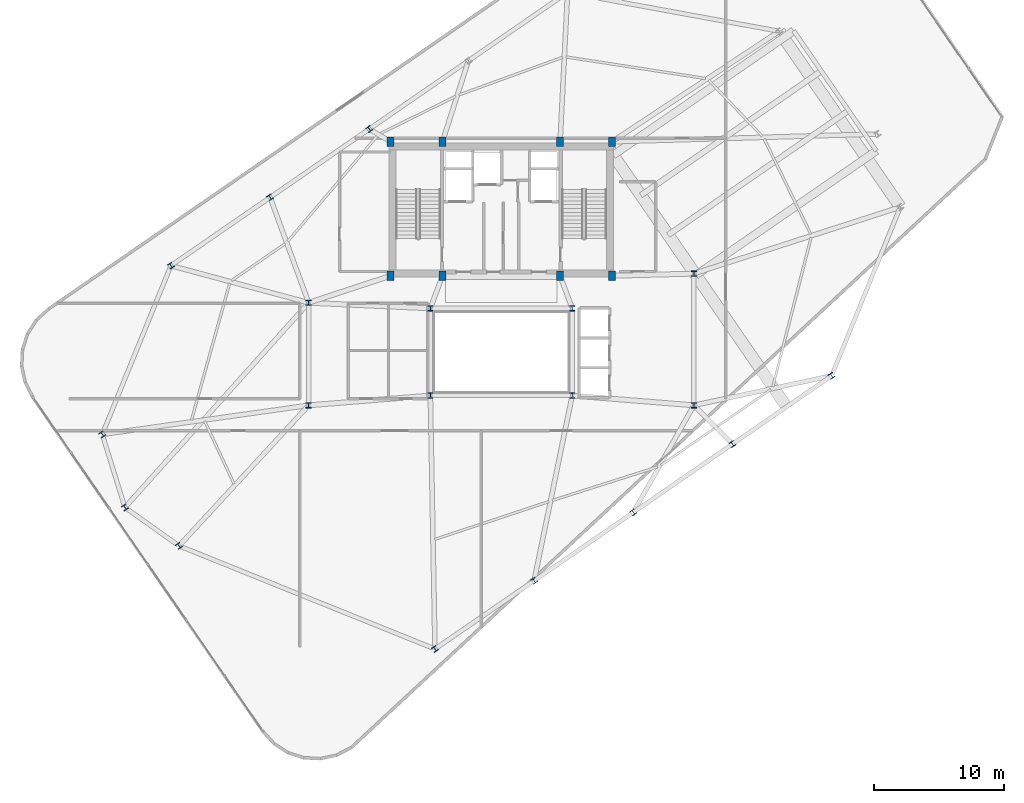
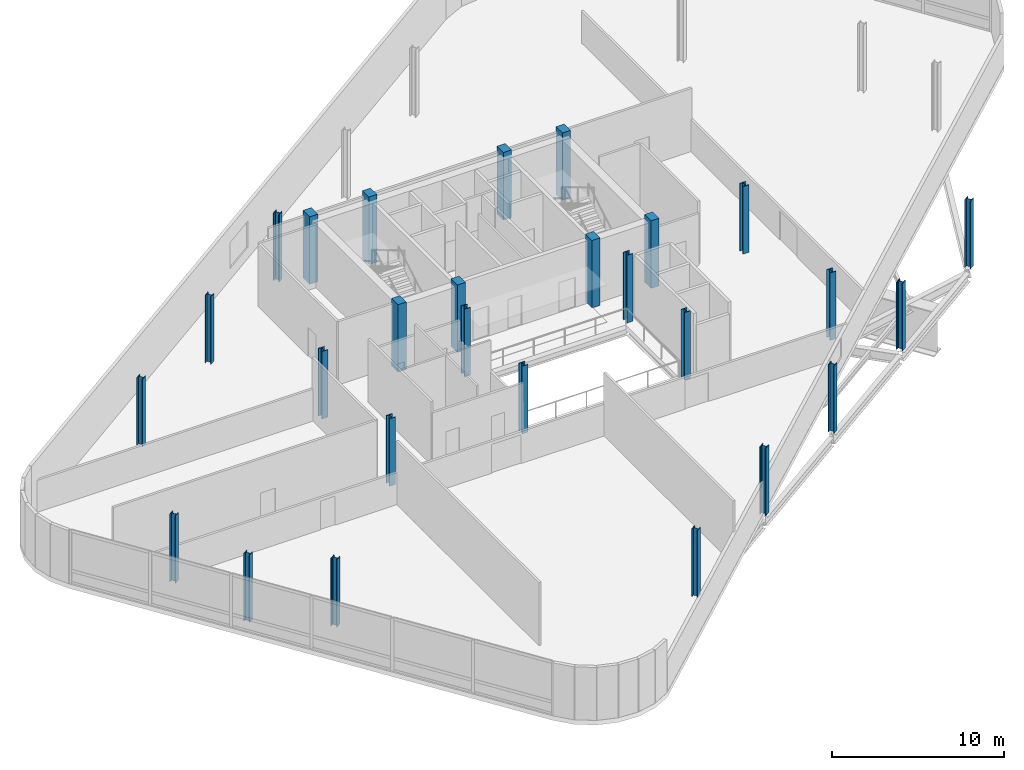
# One storey, part 1 of 15: 27 columns.
"""IFC4 building model written with IfcOpenShell, lengths in metres."""

from ifc_helpers import new_model, si_unit, direction, frame, origin, origin_2d, place, context, subcontext, project, spatial, rectangle, i_section, extrude, material, material_profile, profile_set, type_object, element, save


model = new_model("IFC4")

# Units and contexts
model_context = context("Model", 3, precision=1e-05, world=origin(), true_north=direction((0.0, 1.0)))
body_context = subcontext(model_context, "Body", "Model", "MODEL_VIEW")
ifc_project = project(units=[si_unit("LENGTHUNIT", "METRE"), si_unit("AREAUNIT", "SQUARE_METRE"), si_unit("VOLUMEUNIT", "CUBIC_METRE"), si_unit("PLANEANGLEUNIT", "RADIAN"), si_unit("MASSUNIT", "GRAM", prefix="KILO")], contexts=[model_context])

# Site, building, storey
site_placement = place(None, origin())
site = spatial("IfcSite", under=ifc_project, at=site_placement, CompositionType="ELEMENT")
building_placement = place(site_placement, origin())
building = spatial("IfcBuilding", under=site, at=building_placement, Name="Varnelok Gate Tower", CompositionType="ELEMENT")
storey_placement = place(building_placement, frame((0.0, 0.0, 291.5)))
storey = spatial("IfcBuildingStorey", under=building, at=storey_placement, Name="L75", CompositionType="ELEMENT", Elevation=291.5)

# Columns
ifc_material_1 = material(Name="Concrete C50/60", Category="concrete")
ifc_material_profile_1 = material_profile(ifc_material_1, rectangle(XDim=0.550048828125, YDim=0.75, at=origin_2d()), Name="RC750X550")
ifc_profile_set_1 = profile_set([ifc_material_profile_1], Name="Concrete C50/60")
column_type_1 = type_object("IfcColumnType", Name="COL-RC750X550", PredefinedType="COLUMN", material=ifc_profile_set_1)
for number, where, z_axis, x_axis, name in (
    (1, (30.699951171875, 28.75, 0.0), (0.0, 0.0, 1.0), (1.0, 0.0, 0.0), "L75 Core Spine Column SC1"),
    (2, (34.679931640625, 28.75, 0.0), (0.0, 0.0, 1.0), (1.0, 0.0, 0.0), "L75 Core Spine Column SC2"),
    (3, (43.719970703125, 28.75, 0.0), (0.0, 0.0, 1.0), (1.0, 0.0, 0.0), "L75 Core Spine Column SC3"),
    (4, (47.699951171875, 28.75, 0.0), (0.0, 0.0, 1.0), (1.0, 0.0, 0.0), "L75 Core Spine Column SC4"),
    (5, (30.699951171875, 39.050048828125, 0.0), (0.0, 0.0, 1.0), (1.0, 0.0, 0.0), "L75 Core Spine Column SC5"),
    (6, (34.679931640625, 39.050048828125, 0.0), (0.0, 0.0, 1.0), (1.0, 0.0, 0.0), "L75 Core Spine Column SC6"),
    (7, (43.719970703125, 39.050048828125, 0.0), (0.0, 0.0, 1.0), (1.0, 0.0, 0.0), "L75 Core Spine Column SC7"),
    (8, (47.699951171875, 39.050048828125, 0.0), (0.0, 0.0, 1.0), (1.0, 0.0, 0.0), "L75 Core Spine Column SC8"),
):
    element("IfcColumn", number, at=place(storey_placement, frame(where, z_axis=z_axis, x_axis=x_axis)), inside=storey, type_object=column_type_1, Name=name, PredefinedType="COLUMN", context=body_context, shape_type="SweptSolid", body=[
        extrude(rectangle(XDim=0.550048828125, YDim=0.75, at=origin_2d()), origin(), (0.0, 0.0, 1.0), 4.800048828125),
    ])
ifc_material_2 = material(Name="Structural Steel ASTM A992 Grade 50", Category="steel")
ifc_material_profile_2 = material_profile(ifc_material_2, i_section(OverallWidth=0.40087890625, OverallDepth=0.39892578125, WebThickness=0.02490234375, FlangeThickness=0.03955078125, FilletRadius=0.02197265625, at=origin_2d()), Name="W14X211")
ifc_profile_set_2 = profile_set([ifc_material_profile_2], Name="Structural Steel ASTM A992 Grade 50")
column_type_2 = type_object("IfcColumnType", Name="COL-W14X211", PredefinedType="COLUMN", material=ifc_profile_set_2)
for number, where, z_axis, x_axis, name in (
    (9, (34.107421875, 0.080810546875, 0.0), (0.0, 0.0, 1.0), (0.823532597628, 0.567268949127, 0.0), "L75 B6 Perimeter Column PC01"),
    (10, (41.72509765625, 5.327880859375, 0.0), (0.0, 0.0, 1.0), (0.823532597628, 0.567268949127, 0.0), "L75 B6 Perimeter Column PC02"),
    (11, (49.3427734375, 10.5751953125, 0.0), (0.0, 0.0, 1.0), (0.823532597628, 0.567268949127, 0.0), "L75 B6 Perimeter Column PC03"),
    (12, (56.96044921875, 15.822509765625, 0.0), (0.0, 0.0, 1.0), (0.823532597628, 0.567268949127, 0.0), "L75 B6 Perimeter Column PC04"),
    (13, (64.578125, 21.069580078125, 0.0), (0.0, 0.0, 1.0), (0.823532597628, 0.567268949127, 0.0), "L75 B6 Perimeter Column PC05"),
    (14, (29.05712890625, 40.02490234375, 0.0), (0.0, 0.0, 1.0), (0.823532597628, 0.567268949127, 0.0), "L75 B6 Perimeter Column PC11"),
    (15, (21.439697265625, 34.777587890625, 0.0), (0.0, 0.0, 1.0), (0.823532597628, 0.567268949127, 0.0), "L75 B6 Perimeter Column PC12"),
    (16, (13.822021484375, 29.5302734375, 0.0), (0.0, 0.0, 1.0), (0.823532597628, 0.567268949127, 0.0), "L75 B6 Perimeter Column PC13"),
    (17, (8.543212890625, 16.568603515625, 0.0), (0.0, 0.0, 1.0), (0.823532597628, 0.567268949127, 0.0), "L75 B6 Perimeter Column PC14"),
    (18, (10.284423828125, 10.955810546875, 0.0), (0.0, 0.0, 1.0), (0.823532597628, 0.567268949127, 0.0), "L75 B6 Perimeter Column PC15"),
    (19, (14.44287109375, 8.00390625, 0.0), (0.0, 0.0, 1.0), (0.823532597628, 0.567268949127, 0.0), "L75 B6 Perimeter Column PC16"),
):
    element("IfcColumn", number, at=place(storey_placement, frame(where, z_axis=z_axis, x_axis=x_axis)), inside=storey, type_object=column_type_2, Name=name, PredefinedType="COLUMN", context=body_context, shape_type="SweptSolid", body=[
        extrude(i_section(OverallWidth=0.40087890625, OverallDepth=0.39892578125, WebThickness=0.02490234375, FlangeThickness=0.03955078125, FilletRadius=0.02197265625, at=origin_2d()), origin(), (0.0, 0.0, 1.0), 4.800048828125),
    ])
ifc_material_profile_3 = material_profile(ifc_material_2, i_section(OverallWidth=0.406005859375, OverallDepth=0.416015625, WebThickness=0.02978515625, FlangeThickness=0.048095703125, FilletRadius=0.02490234375, at=origin_2d()), Name="W14X257")
ifc_profile_set_3 = profile_set([ifc_material_profile_3], Name="Structural Steel ASTM A992 Grade 50")
column_type_3 = type_object("IfcColumnType", Name="COL-W14X257", PredefinedType="COLUMN", material=ifc_profile_set_3)
for number, where, z_axis, x_axis, name in (
    (20, (33.75, 19.550048828125, 0.0), (0.0, 0.0, 1.0), (1.0, 0.0, 0.0), "L75 Atrium Spine Column AC1"),
    (21, (44.64990234375, 19.550048828125, 0.0), (0.0, 0.0, 1.0), (1.0, 0.0, 0.0), "L75 Atrium Spine Column AC2"),
    (22, (33.75, 26.25, 0.0), (0.0, 0.0, 1.0), (1.0, 0.0, 0.0), "L75 Atrium Spine Column AC3"),
    (23, (44.64990234375, 26.25, 0.0), (0.0, 0.0, 1.0), (1.0, 0.0, 0.0), "L75 Atrium Spine Column AC4"),
    (24, (24.39990234375, 18.800048828125, 0.0), (0.0, 0.0, 1.0), (1.0, 0.0, 0.0), "L75 Wing Spine Column WS1"),
    (25, (24.39990234375, 26.679931640625, 0.0), (0.0, 0.0, 1.0), (1.0, 0.0, 0.0), "L75 Wing Spine Column WS2"),
    (26, (54.0, 18.800048828125, 0.0), (0.0, 0.0, 1.0), (1.0, 0.0, 0.0), "L75 Wing Spine Column ES1"),
    (27, (54.0, 28.919921875, 0.0), (0.0, 0.0, 1.0), (1.0, 0.0, 0.0), "L75 Wing Spine Column ES2"),
):
    element("IfcColumn", number, at=place(storey_placement, frame(where, z_axis=z_axis, x_axis=x_axis)), inside=storey, type_object=column_type_3, Name=name, PredefinedType="COLUMN", context=body_context, shape_type="SweptSolid", body=[
        extrude(i_section(OverallWidth=0.406005859375, OverallDepth=0.416015625, WebThickness=0.02978515625, FlangeThickness=0.048095703125, FilletRadius=0.02490234375, at=origin_2d()), origin(), (0.0, 0.0, 1.0), 4.800048828125),
    ])

save(model, "model.ifc")
